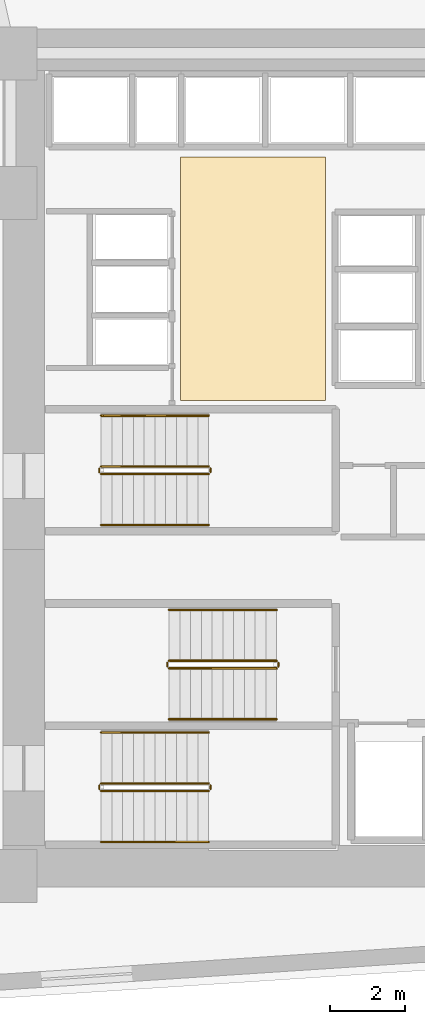
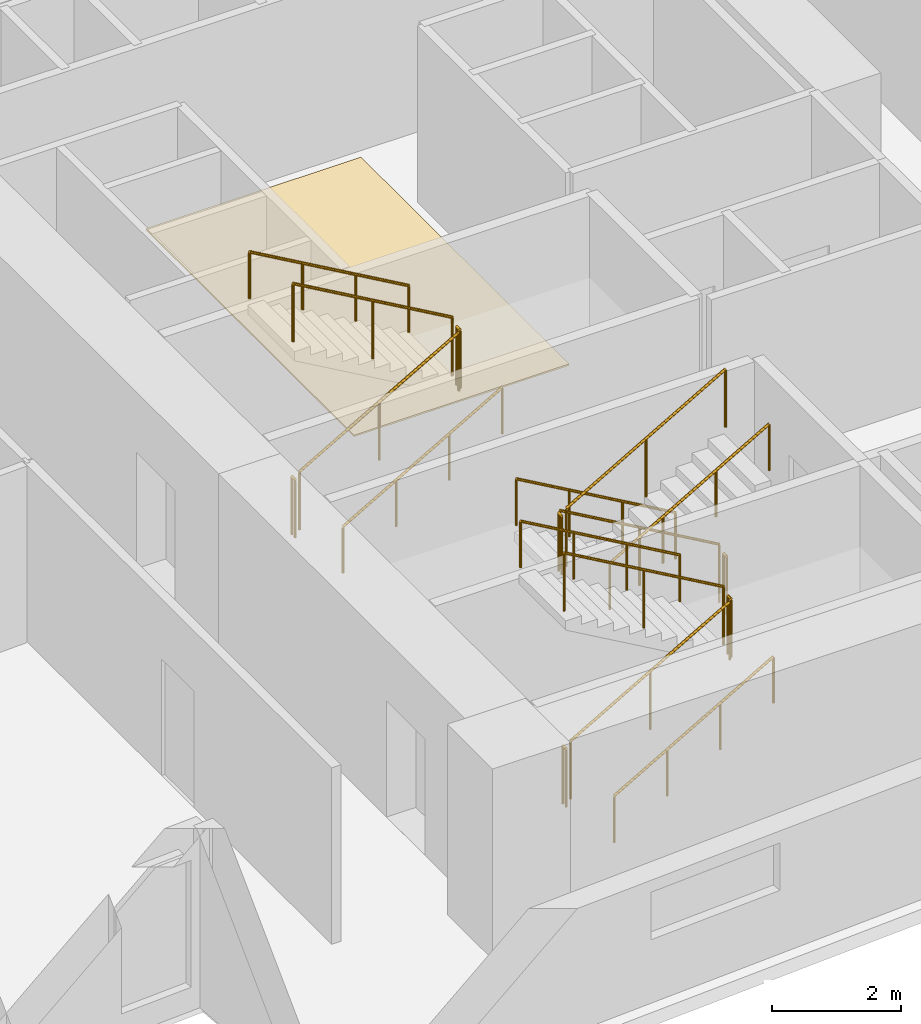
# One storey, part 15 of 16: 18 railings, 1 covering.
"""IFC4 building model written with IfcOpenShell, lengths in metres."""

from ifc_helpers import new_model, si_unit, direction, frame, origin, origin_2d, place, context, subcontext, project, spatial, polyline, circle, outline, extrude, material, layer, layer_set, type_object, element, save


model = new_model("IFC4")

# Units and contexts
model_context = context("Model", 3, precision=1e-05, world=origin(), true_north=direction((0.0, 1.0)))
body_context = subcontext(model_context, "Body", "Model", "MODEL_VIEW")
ifc_project = project(units=[si_unit("LENGTHUNIT", "METRE"), si_unit("AREAUNIT", "SQUARE_METRE"), si_unit("VOLUMEUNIT", "CUBIC_METRE"), si_unit("PLANEANGLEUNIT", "RADIAN"), si_unit("MASSUNIT", "GRAM", prefix="KILO")], contexts=[model_context])

# Site, building, storey
site_placement = place(None, origin())
site = spatial("IfcSite", under=ifc_project, at=site_placement, CompositionType="ELEMENT")
building_placement = place(site_placement, origin())
building = spatial("IfcBuilding", under=site, at=building_placement, Name="Narakoshi Arena Tower", CompositionType="ELEMENT")
storey_placement = place(building_placement, frame((0.0, 0.0, 84.89990234375)))
storey = spatial("IfcBuildingStorey", under=building, at=storey_placement, Name="L22", CompositionType="ELEMENT", Elevation=84.89990234375)

# Covering
ifc_material_1 = material(Name="Honed granite stone paving", Category="masonry")
ifc_layer = layer(ifc_material_1, 0.030029296875)
ifc_layer_set = layer_set([ifc_layer], Name="Honed granite stone paving")
covering_type = type_object("IfcCoveringType", Name="COV-FLR-ST30", PredefinedType="FLOORING", material=ifc_layer_set)
covering_placement = place(storey_placement, origin())
element("IfcCovering", 1, at=covering_placement, inside=storey, type_object=covering_type, Name="L22 Lift Lobby Granite Flooring", PredefinedType="FLOORING", context=body_context, shape_type="SweptSolid", body=[
    extrude(outline(polyline([(76.5, 47.300048828125), (80.35009765625, 47.300048828125), (80.35009765625, 53.75), (76.5, 53.75), (76.5, 47.300048828125)])), origin(), (0.0, 0.0, 1.0), 0.030029296875),
])

# Railings
ifc_material_2 = material(Name="Clear low-iron laminated structural glass", Category="glass")
railing_type_1 = type_object("IfcRailingType", Name="RL-BAL-1100", PredefinedType="BALUSTRADE", material=ifc_material_2)
railing_1_placement = place(storey_placement, frame((74.39990234375, 36.949951171875, 0.163818359375)))
element("IfcRailing", 2, at=railing_1_placement, inside=storey, type_object=railing_type_1, Name="L22 ST1 stair guard 1", PredefinedType="BALUSTRADE", context=body_context, shape_type="SweptSolid", body=[
    extrude(circle(Radius=0.02392578125, at=origin_2d()), frame((0.0, 0.0, 1.09619140625), z_axis=(0.867244780686, 0.0, 0.497882004468), x_axis=(0.0, 1.0, 0.0)), (0.0, 0.0, 1.0), 3.286376953125),
    extrude(circle(Radius=0.02099609375, at=origin_2d()), origin(), (0.0, 0.0, 1.0), 1.072021484375),
    extrude(circle(Radius=0.02099609375, at=origin_2d()), frame((1.425048828125, 0.0, 0.818115234375)), (0.0, 0.0, 1.0), 1.072021484375),
    extrude(circle(Radius=0.02099609375, at=origin_2d()), frame((2.85009765625, 0.0, 1.63623046875)), (0.0, 0.0, 1.0), 1.072021484375),
])
railing_2_placement = place(storey_placement, frame((77.300048828125, 37.0, 1.800048828125)))
element("IfcRailing", 3, at=railing_2_placement, inside=storey, type_object=railing_type_1, Name="L22 ST1 stair guard 2", PredefinedType="BALUSTRADE", context=body_context, shape_type="SweptSolid", body=[
    extrude(circle(Radius=0.02392578125, at=origin_2d()), frame((0.0, 0.0, 1.09619140625), z_axis=(0.0, 1.0, 0.0), x_axis=(-1.0, 0.0, 0.0)), (0.0, 0.0, 1.0), 0.10009765625),
    extrude(circle(Radius=0.02099609375, at=origin_2d()), origin(), (0.0, 0.0, 1.0), 1.072021484375),
    extrude(circle(Radius=0.02099609375, at=origin_2d()), frame((0.0, 0.10009765625, 0.0)), (0.0, 0.0, 1.0), 1.072021484375),
])
railing_3_placement = place(storey_placement, frame((77.25, 37.14990234375, 1.963623046875)))
element("IfcRailing", 4, at=railing_3_placement, inside=storey, type_object=railing_type_1, Name="L22 ST1 stair guard 3", PredefinedType="BALUSTRADE", context=body_context, shape_type="SweptSolid", body=[
    extrude(circle(Radius=0.02392578125, at=origin_2d()), frame((0.0, 0.0, 1.09619140625), z_axis=(-0.86721270334, 0.0, 0.497937874806), x_axis=(0.0, -1.0, 0.0)), (0.0, 0.0, 1.0), 3.28662109375),
    extrude(circle(Radius=0.02099609375, at=origin_2d()), origin(), (0.0, 0.0, 1.0), 1.072021484375),
    extrude(circle(Radius=0.02099609375, at=origin_2d()), frame((-1.425048828125, 0.0, 0.818359375)), (0.0, 0.0, 1.0), 1.072021484375),
    extrude(circle(Radius=0.02099609375, at=origin_2d()), frame((-2.85009765625, 0.0, 1.636474609375)), (0.0, 0.0, 1.0), 1.072021484375),
])
railing_4_placement = place(storey_placement, frame((74.35009765625, 37.0, 0.0)))
element("IfcRailing", 5, at=railing_4_placement, inside=storey, type_object=railing_type_1, Name="L22 ST1 stair guard 4", PredefinedType="BALUSTRADE", context=body_context, shape_type="SweptSolid", body=[
    extrude(circle(Radius=0.02392578125, at=origin_2d()), frame((0.0, 0.0, 1.09619140625), z_axis=(0.0, 1.0, 0.0), x_axis=(-1.0, 0.0, 0.0)), (0.0, 0.0, 1.0), 0.10009765625),
    extrude(circle(Radius=0.02099609375, at=origin_2d()), origin(), (0.0, 0.0, 1.0), 1.072021484375),
    extrude(circle(Radius=0.02099609375, at=origin_2d()), frame((0.0, 0.10009765625, 0.0)), (0.0, 0.0, 1.0), 1.072021484375),
])
railing_5_placement = place(storey_placement, frame((79.050048828125, 40.39990234375, 0.163818359375)))
element("IfcRailing", 6, at=railing_5_placement, inside=storey, type_object=railing_type_1, Name="L22 ST2 stair guard 1", PredefinedType="BALUSTRADE", context=body_context, shape_type="SweptSolid", body=[
    extrude(circle(Radius=0.02392578125, at=origin_2d()), frame((0.0, 0.0, 1.09619140625), z_axis=(-0.867244780686, 0.0, 0.497882004468), x_axis=(0.0, -1.0, 0.0)), (0.0, 0.0, 1.0), 3.286376953125),
    extrude(circle(Radius=0.02099609375, at=origin_2d()), origin(), (0.0, 0.0, 1.0), 1.072021484375),
    extrude(circle(Radius=0.02099609375, at=origin_2d()), frame((-1.425048828125, 0.0, 0.818115234375)), (0.0, 0.0, 1.0), 1.072021484375),
    extrude(circle(Radius=0.02099609375, at=origin_2d()), frame((-2.85009765625, 0.0, 1.63623046875)), (0.0, 0.0, 1.0), 1.072021484375),
])
railing_6_placement = place(storey_placement, frame((76.14990234375, 40.35009765625, 1.800048828125)))
element("IfcRailing", 7, at=railing_6_placement, inside=storey, type_object=railing_type_1, Name="L22 ST2 stair guard 2", PredefinedType="BALUSTRADE", context=body_context, shape_type="SweptSolid", body=[
    extrude(circle(Radius=0.02392578125, at=origin_2d()), frame((0.0, 0.0, 1.09619140625), z_axis=(0.0, -1.0, 0.0), x_axis=(1.0, 0.0, 0.0)), (0.0, 0.0, 1.0), 0.10009765625),
    extrude(circle(Radius=0.02099609375, at=origin_2d()), origin(), (0.0, 0.0, 1.0), 1.072021484375),
    extrude(circle(Radius=0.02099609375, at=origin_2d()), frame((0.0, -0.10009765625, 0.0)), (0.0, 0.0, 1.0), 1.072021484375),
])
railing_7_placement = place(storey_placement, frame((76.199951171875, 40.199951171875, 1.963623046875)))
element("IfcRailing", 8, at=railing_7_placement, inside=storey, type_object=railing_type_1, Name="L22 ST2 stair guard 3", PredefinedType="BALUSTRADE", context=body_context, shape_type="SweptSolid", body=[
    extrude(circle(Radius=0.02392578125, at=origin_2d()), frame((0.0, 0.0, 1.09619140625), z_axis=(0.86721270334, 0.0, 0.497937874806), x_axis=(0.0, 1.0, 0.0)), (0.0, 0.0, 1.0), 3.28662109375),
    extrude(circle(Radius=0.02099609375, at=origin_2d()), origin(), (0.0, 0.0, 1.0), 1.072021484375),
    extrude(circle(Radius=0.02099609375, at=origin_2d()), frame((1.425048828125, 0.0, 0.818359375)), (0.0, 0.0, 1.0), 1.072021484375),
    extrude(circle(Radius=0.02099609375, at=origin_2d()), frame((2.85009765625, 0.0, 1.636474609375)), (0.0, 0.0, 1.0), 1.072021484375),
])
railing_8_placement = place(storey_placement, frame((79.10009765625, 40.35009765625, 0.0)))
element("IfcRailing", 9, at=railing_8_placement, inside=storey, type_object=railing_type_1, Name="L22 ST2 stair guard 4", PredefinedType="BALUSTRADE", context=body_context, shape_type="SweptSolid", body=[
    extrude(circle(Radius=0.02392578125, at=origin_2d()), frame((0.0, 0.0, 1.09619140625), z_axis=(0.0, -1.0, 0.0), x_axis=(1.0, 0.0, 0.0)), (0.0, 0.0, 1.0), 0.10009765625),
    extrude(circle(Radius=0.02099609375, at=origin_2d()), origin(), (0.0, 0.0, 1.0), 1.072021484375),
    extrude(circle(Radius=0.02099609375, at=origin_2d()), frame((0.0, -0.10009765625, 0.0)), (0.0, 0.0, 1.0), 1.072021484375),
])
railing_9_placement = place(storey_placement, frame((74.39990234375, 45.35009765625, 0.163818359375)))
element("IfcRailing", 10, at=railing_9_placement, inside=storey, type_object=railing_type_1, Name="L22 ST3 stair guard 1", PredefinedType="BALUSTRADE", context=body_context, shape_type="SweptSolid", body=[
    extrude(circle(Radius=0.02392578125, at=origin_2d()), frame((0.0, 0.0, 1.09619140625), z_axis=(0.867244780686, 0.0, 0.497882004468), x_axis=(0.0, 1.0, 0.0)), (0.0, 0.0, 1.0), 3.286376953125),
    extrude(circle(Radius=0.02099609375, at=origin_2d()), origin(), (0.0, 0.0, 1.0), 1.072021484375),
    extrude(circle(Radius=0.02099609375, at=origin_2d()), frame((1.425048828125, 0.0, 0.818115234375)), (0.0, 0.0, 1.0), 1.072021484375),
    extrude(circle(Radius=0.02099609375, at=origin_2d()), frame((2.85009765625, 0.0, 1.63623046875)), (0.0, 0.0, 1.0), 1.072021484375),
])
railing_10_placement = place(storey_placement, frame((77.300048828125, 45.39990234375, 1.800048828125)))
element("IfcRailing", 11, at=railing_10_placement, inside=storey, type_object=railing_type_1, Name="L22 ST3 stair guard 2", PredefinedType="BALUSTRADE", context=body_context, shape_type="SweptSolid", body=[
    extrude(circle(Radius=0.02392578125, at=origin_2d()), frame((0.0, 0.0, 1.09619140625), z_axis=(0.0, 1.0, 0.0), x_axis=(-1.0, 0.0, 0.0)), (0.0, 0.0, 1.0), 0.10009765625),
    extrude(circle(Radius=0.02099609375, at=origin_2d()), origin(), (0.0, 0.0, 1.0), 1.072021484375),
    extrude(circle(Radius=0.02099609375, at=origin_2d()), frame((0.0, 0.10009765625, 0.0)), (0.0, 0.0, 1.0), 1.072021484375),
])
railing_11_placement = place(storey_placement, frame((77.25, 45.550048828125, 1.963623046875)))
element("IfcRailing", 12, at=railing_11_placement, inside=storey, type_object=railing_type_1, Name="L22 ST3 stair guard 3", PredefinedType="BALUSTRADE", context=body_context, shape_type="SweptSolid", body=[
    extrude(circle(Radius=0.02392578125, at=origin_2d()), frame((0.0, 0.0, 1.09619140625), z_axis=(-0.86721270334, 0.0, 0.497937874806), x_axis=(0.0, -1.0, 0.0)), (0.0, 0.0, 1.0), 3.28662109375),
    extrude(circle(Radius=0.02099609375, at=origin_2d()), origin(), (0.0, 0.0, 1.0), 1.072021484375),
    extrude(circle(Radius=0.02099609375, at=origin_2d()), frame((-1.425048828125, 0.0, 0.818359375)), (0.0, 0.0, 1.0), 1.072021484375),
    extrude(circle(Radius=0.02099609375, at=origin_2d()), frame((-2.85009765625, 0.0, 1.636474609375)), (0.0, 0.0, 1.0), 1.072021484375),
])
railing_12_placement = place(storey_placement, frame((74.35009765625, 45.39990234375, 0.0)))
element("IfcRailing", 13, at=railing_12_placement, inside=storey, type_object=railing_type_1, Name="L22 ST3 stair guard 4", PredefinedType="BALUSTRADE", context=body_context, shape_type="SweptSolid", body=[
    extrude(circle(Radius=0.02392578125, at=origin_2d()), frame((0.0, 0.0, 1.09619140625), z_axis=(0.0, 1.0, 0.0), x_axis=(-1.0, 0.0, 0.0)), (0.0, 0.0, 1.0), 0.10009765625),
    extrude(circle(Radius=0.02099609375, at=origin_2d()), origin(), (0.0, 0.0, 1.0), 1.072021484375),
    extrude(circle(Radius=0.02099609375, at=origin_2d()), frame((0.0, 0.10009765625, 0.0)), (0.0, 0.0, 1.0), 1.072021484375),
])
ifc_material_3 = material(Name="Brushed bronze stainless steel", Category="steel")
railing_type_2 = type_object("IfcRailingType", Name="RL-HND-900", PredefinedType="HANDRAIL", material=ifc_material_3)
railing_13_placement = place(storey_placement, frame((74.39990234375, 35.60009765625, 0.163818359375)))
element("IfcRailing", 14, at=railing_13_placement, inside=storey, type_object=railing_type_2, Name="L22 ST1 stair handrail 1", PredefinedType="HANDRAIL", context=body_context, shape_type="SweptSolid", body=[
    extrude(circle(Radius=0.02392578125, at=origin_2d()), frame((0.0, 0.0, 0.8759765625), z_axis=(0.867244780686, 0.0, 0.497882004468), x_axis=(0.0, 1.0, 0.0)), (0.0, 0.0, 1.0), 3.286376953125),
    extrude(circle(Radius=0.02099609375, at=origin_2d()), origin(), (0.0, 0.0, 1.0), 0.851806640625),
    extrude(circle(Radius=0.02099609375, at=origin_2d()), frame((0.949951171875, 0.0, 0.54541015625)), (0.0, 0.0, 1.0), 0.851806640625),
    extrude(circle(Radius=0.02099609375, at=origin_2d()), frame((1.900146484375, 0.0, 1.0908203125)), (0.0, 0.0, 1.0), 0.851806640625),
    extrude(circle(Radius=0.02099609375, at=origin_2d()), frame((2.85009765625, 0.0, 1.63623046875)), (0.0, 0.0, 1.0), 0.851806640625),
])
railing_14_placement = place(storey_placement, frame((77.25, 38.5, 1.963623046875)))
element("IfcRailing", 15, at=railing_14_placement, inside=storey, type_object=railing_type_2, Name="L22 ST1 stair handrail 2", PredefinedType="HANDRAIL", context=body_context, shape_type="SweptSolid", body=[
    extrude(circle(Radius=0.02392578125, at=origin_2d()), frame((0.0, 0.0, 0.8759765625), z_axis=(-0.86721270334, 0.0, 0.497937874806), x_axis=(0.0, -1.0, 0.0)), (0.0, 0.0, 1.0), 3.28662109375),
    extrude(circle(Radius=0.02099609375, at=origin_2d()), origin(), (0.0, 0.0, 1.0), 0.851806640625),
    extrude(circle(Radius=0.02099609375, at=origin_2d()), frame((-0.949951171875, 0.0, 0.54541015625)), (0.0, 0.0, 1.0), 0.851806640625),
    extrude(circle(Radius=0.02099609375, at=origin_2d()), frame((-1.900146484375, 0.0, 1.091064453125)), (0.0, 0.0, 1.0), 0.851806640625),
    extrude(circle(Radius=0.02099609375, at=origin_2d()), frame((-2.85009765625, 0.0, 1.636474609375)), (0.0, 0.0, 1.0), 0.851806640625),
])
railing_15_placement = place(storey_placement, frame((79.050048828125, 41.75, 0.163818359375)))
element("IfcRailing", 16, at=railing_15_placement, inside=storey, type_object=railing_type_2, Name="L22 ST2 stair handrail 1", PredefinedType="HANDRAIL", context=body_context, shape_type="SweptSolid", body=[
    extrude(circle(Radius=0.02392578125, at=origin_2d()), frame((0.0, 0.0, 0.8759765625), z_axis=(-0.867244780686, 0.0, 0.497882004468), x_axis=(0.0, -1.0, 0.0)), (0.0, 0.0, 1.0), 3.286376953125),
    extrude(circle(Radius=0.02099609375, at=origin_2d()), origin(), (0.0, 0.0, 1.0), 0.851806640625),
    extrude(circle(Radius=0.02099609375, at=origin_2d()), frame((-0.949951171875, 0.0, 0.54541015625)), (0.0, 0.0, 1.0), 0.851806640625),
    extrude(circle(Radius=0.02099609375, at=origin_2d()), frame((-1.900146484375, 0.0, 1.0908203125)), (0.0, 0.0, 1.0), 0.851806640625),
    extrude(circle(Radius=0.02099609375, at=origin_2d()), frame((-2.85009765625, 0.0, 1.63623046875)), (0.0, 0.0, 1.0), 0.851806640625),
])
railing_16_placement = place(storey_placement, frame((76.199951171875, 38.85009765625, 1.963623046875)))
element("IfcRailing", 17, at=railing_16_placement, inside=storey, type_object=railing_type_2, Name="L22 ST2 stair handrail 2", PredefinedType="HANDRAIL", context=body_context, shape_type="SweptSolid", body=[
    extrude(circle(Radius=0.02392578125, at=origin_2d()), frame((0.0, 0.0, 0.8759765625), z_axis=(0.86721270334, 0.0, 0.497937874806), x_axis=(0.0, 1.0, 0.0)), (0.0, 0.0, 1.0), 3.28662109375),
    extrude(circle(Radius=0.02099609375, at=origin_2d()), origin(), (0.0, 0.0, 1.0), 0.851806640625),
    extrude(circle(Radius=0.02099609375, at=origin_2d()), frame((0.949951171875, 0.0, 0.54541015625)), (0.0, 0.0, 1.0), 0.851806640625),
    extrude(circle(Radius=0.02099609375, at=origin_2d()), frame((1.900146484375, 0.0, 1.091064453125)), (0.0, 0.0, 1.0), 0.851806640625),
    extrude(circle(Radius=0.02099609375, at=origin_2d()), frame((2.85009765625, 0.0, 1.636474609375)), (0.0, 0.0, 1.0), 0.851806640625),
])
railing_17_placement = place(storey_placement, frame((74.39990234375, 44.0, 0.163818359375)))
element("IfcRailing", 18, at=railing_17_placement, inside=storey, type_object=railing_type_2, Name="L22 ST3 stair handrail 1", PredefinedType="HANDRAIL", context=body_context, shape_type="SweptSolid", body=[
    extrude(circle(Radius=0.02392578125, at=origin_2d()), frame((0.0, 0.0, 0.8759765625), z_axis=(0.867244780686, 0.0, 0.497882004468), x_axis=(0.0, 1.0, 0.0)), (0.0, 0.0, 1.0), 3.286376953125),
    extrude(circle(Radius=0.02099609375, at=origin_2d()), origin(), (0.0, 0.0, 1.0), 0.851806640625),
    extrude(circle(Radius=0.02099609375, at=origin_2d()), frame((0.949951171875, 0.0, 0.54541015625)), (0.0, 0.0, 1.0), 0.851806640625),
    extrude(circle(Radius=0.02099609375, at=origin_2d()), frame((1.900146484375, 0.0, 1.0908203125)), (0.0, 0.0, 1.0), 0.851806640625),
    extrude(circle(Radius=0.02099609375, at=origin_2d()), frame((2.85009765625, 0.0, 1.63623046875)), (0.0, 0.0, 1.0), 0.851806640625),
])
railing_18_placement = place(storey_placement, frame((77.25, 46.89990234375, 1.963623046875)))
element("IfcRailing", 19, at=railing_18_placement, inside=storey, type_object=railing_type_2, Name="L22 ST3 stair handrail 2", PredefinedType="HANDRAIL", context=body_context, shape_type="SweptSolid", body=[
    extrude(circle(Radius=0.02392578125, at=origin_2d()), frame((0.0, 0.0, 0.8759765625), z_axis=(-0.86721270334, 0.0, 0.497937874806), x_axis=(0.0, -1.0, 0.0)), (0.0, 0.0, 1.0), 3.28662109375),
    extrude(circle(Radius=0.02099609375, at=origin_2d()), origin(), (0.0, 0.0, 1.0), 0.851806640625),
    extrude(circle(Radius=0.02099609375, at=origin_2d()), frame((-0.949951171875, 0.0, 0.54541015625)), (0.0, 0.0, 1.0), 0.851806640625),
    extrude(circle(Radius=0.02099609375, at=origin_2d()), frame((-1.900146484375, 0.0, 1.091064453125)), (0.0, 0.0, 1.0), 0.851806640625),
    extrude(circle(Radius=0.02099609375, at=origin_2d()), frame((-2.85009765625, 0.0, 1.636474609375)), (0.0, 0.0, 1.0), 0.851806640625),
])

save(model, "model.ifc")
